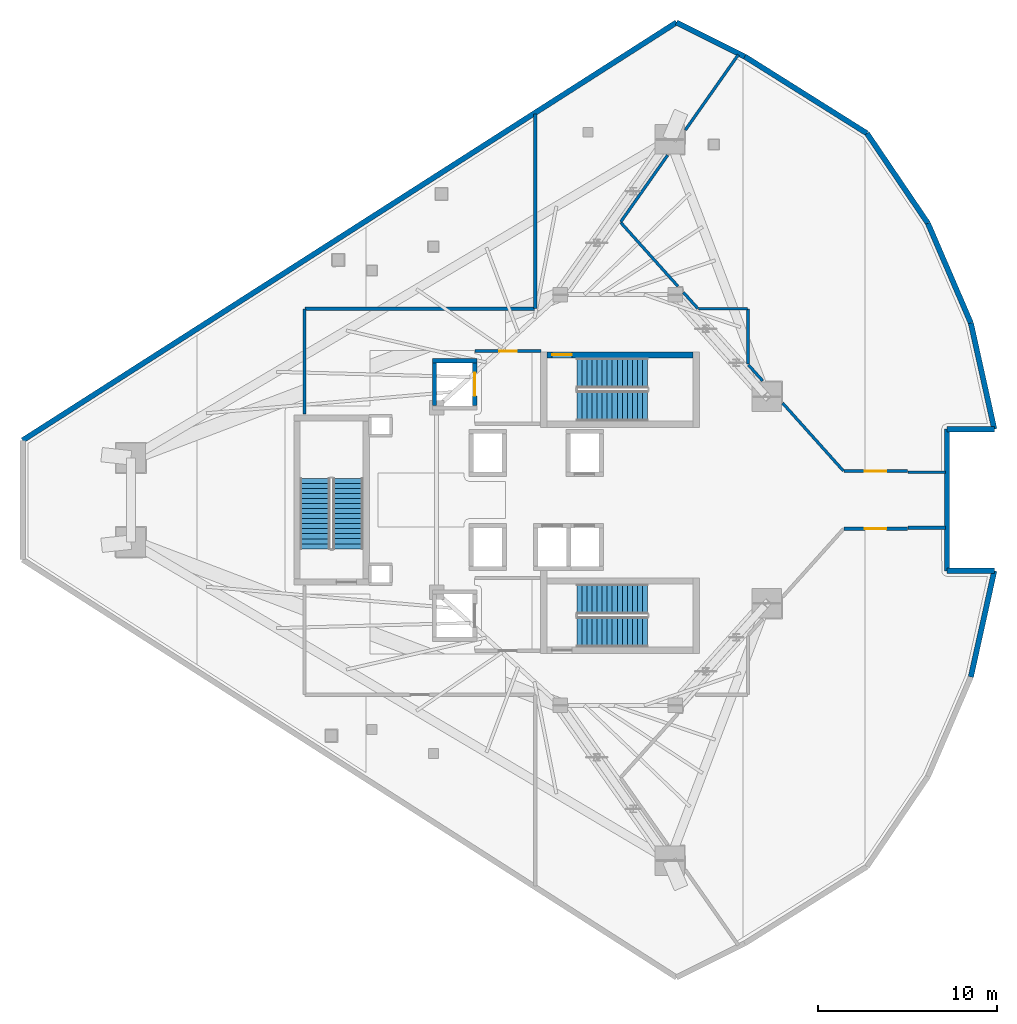
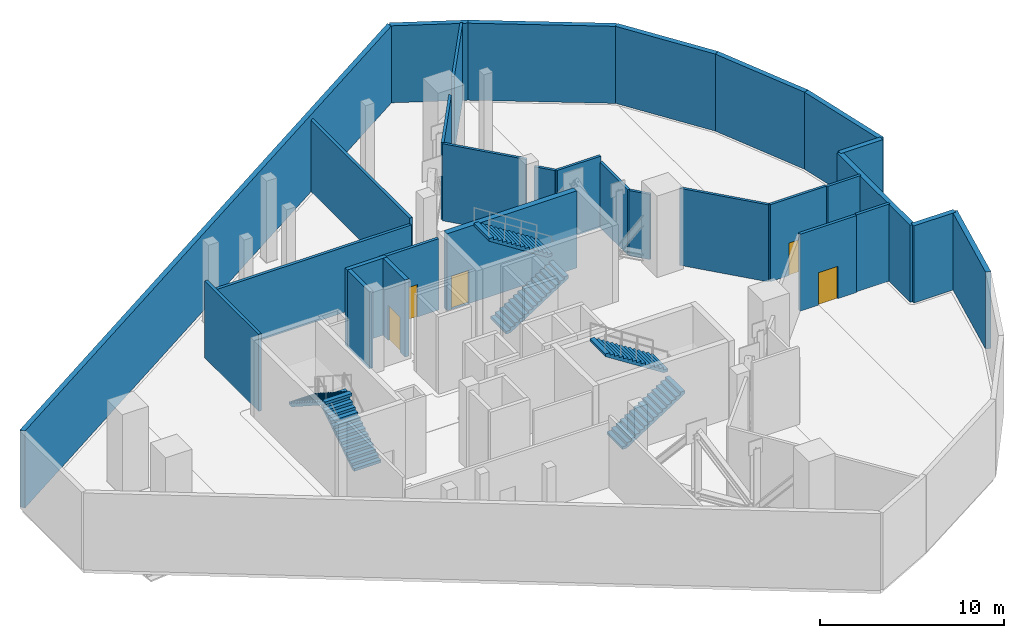
# One storey, part 4 of 9: 30 walls, 6 stair flights, 5 doors, 5 openings, 3 elements without a shape of their own.
"""IFC4 building model written with IfcOpenShell, lengths in metres."""

from ifc_helpers import new_model, si_unit, direction, frame, frame_2d, origin, place, context, subcontext, project, spatial, polyline, rectangle, outline, extrude, material, layer, layer_set, type_object, element, fill, aggregate, save


model = new_model("IFC4")

# Units and contexts
model_context = context("Model", 3, precision=1e-05, world=origin(), true_north=direction((0.0, 1.0)))
body_context = subcontext(model_context, "Body", "Model", "MODEL_VIEW")
ifc_project = project(units=[si_unit("LENGTHUNIT", "METRE"), si_unit("AREAUNIT", "SQUARE_METRE"), si_unit("VOLUMEUNIT", "CUBIC_METRE"), si_unit("PLANEANGLEUNIT", "RADIAN"), si_unit("MASSUNIT", "GRAM", prefix="KILO")], contexts=[model_context])

# Site, building, storey
site_placement = place(None, origin())
site = spatial("IfcSite", under=ifc_project, at=site_placement, CompositionType="ELEMENT")
building_placement = place(site_placement, origin())
building = spatial("IfcBuilding", under=site, at=building_placement, Name="Qorvath Tower", CompositionType="ELEMENT")
storey_placement = place(building_placement, frame((0.0, 0.0, 249.60009765625)))
storey = spatial("IfcBuildingStorey", under=building, at=storey_placement, Name="L58", CompositionType="ELEMENT", Elevation=249.60009765625)

# Wall, opening, door
ifc_material_1 = material(Name="Gypsum shaftliner on steel studs", Category="steel")
ifc_layer_1 = layer(ifc_material_1, 0.179931640625)
ifc_layer_set_1 = layer_set([ifc_layer_1], Name="FW-LOBBY")
wall_type_1 = type_object("IfcWallType", Name="FW-LOBBY", PredefinedType="PARTITIONING", material=ifc_layer_set_1)
wall_1_placement = place(storey_placement, frame((-24.68408203125, 8.300048828125, 0.0), z_axis=(0.0, 0.0, 1.0), x_axis=(-1.0, 0.0, 0.0)))
wall_1 = element("IfcWall", 1, at=wall_1_placement, inside=storey, type_object=wall_type_1, Name="Interior Partition IW-T1-L58-002", PredefinedType="PARTITIONING", context=body_context, shape_type="SweptSolid", body=[
    extrude(rectangle(XDim=3.6708984375, YDim=0.179931640625, at=frame_2d((1.83544921875, 0.0))), origin(), (0.0, 0.0, 1.0), 4.71875),
])
opening_1_placement = place(wall_1_placement, frame((1.33544921875, 0.0, 0.0)))
opening_1 = element("IfcOpeningElement", 2, at=opening_1_placement, cuts=wall_1, Name="Opening D-T1-L58-04", PredefinedType="OPENING", context=body_context, shape_type="SweptSolid", body=[
    extrude(rectangle(XDim=1.0, YDim=2.14990234375, at=frame_2d((0.5, 1.074951171875))), frame((0.0, 0.10009765625, 0.0), z_axis=(0.0, -1.0, 0.0), x_axis=(1.0, 0.0, 0.0)), (0.0, 0.0, 1.0), 0.199951171875),
])
ifc_material_2 = material(Name="Painted galvanised hollow metal", Category="steel")
door_type_1 = type_object("IfcDoorType", Name="FD-60", OperationType="NOTDEFINED", PredefinedType="DOOR", material=ifc_material_2)
door_1_placement = place(opening_1_placement, origin())
door_1 = element("IfcDoor", 3, at=door_1_placement, inside=storey, type_object=door_type_1, Name="Lobby Fire Service Elevator North Door D-T1-L58-04", OperationType="SINGLE_SWING_LEFT", OverallHeight=2.14990234375, OverallWidth=1.0, PredefinedType="DOOR", context=body_context, shape_type="SweptSolid", body=[
    extrude(rectangle(XDim=1.0, YDim=2.14990234375, at=frame_2d((0.5, 1.074951171875))), frame((0.0, 0.02490234375, 0.0), z_axis=(0.0, -1.0, 0.0), x_axis=(1.0, 0.0, 0.0)), (0.0, 0.0, 1.0), 0.050048828125),
])
fill(opening_1, door_1)

# Walls
wall_2_placement = place(storey_placement, frame((-37.85791015625, 4.783203125, 0.0), z_axis=(0.0, 0.0, 1.0), x_axis=(0.0, 1.0, 0.0)))
element("IfcWall", 4, at=wall_2_placement, inside=storey, type_object=wall_type_1, Name="Interior Partition IW-T1-L58-007", PredefinedType="PARTITIONING", context=body_context, shape_type="SweptSolid", body=[
    extrude(rectangle(XDim=5.849853515625, YDim=0.179931640625, at=frame_2d((2.9248046875, 0.0))), origin(), (0.0, 0.0, 1.0), 5.099853515625),
])
wall_3_placement = place(storey_placement, frame((-25.02490234375, 10.657958984375, 0.0), z_axis=(0.0, 0.0, 1.0), x_axis=(-1.0, 0.0, 0.0)))
element("IfcWall", 5, at=wall_3_placement, inside=storey, type_object=wall_type_1, Name="Interior Partition IW-T1-L58-008", PredefinedType="PARTITIONING", context=body_context, shape_type="SweptSolid", body=[
    extrude(rectangle(XDim=12.80810546875, YDim=0.179931640625, at=frame_2d((6.404052734375, 0.0))), origin(), (0.0, 0.0, 1.0), 4.31982421875),
])
wall_4_placement = place(storey_placement, frame((-25.0, 10.68310546875, 0.0), z_axis=(0.0, 0.0, 1.0), x_axis=(0.0, 1.0, 0.0)))
element("IfcWall", 6, at=wall_4_placement, inside=storey, type_object=wall_type_1, Name="Interior Partition IW-T1-L58-009", PredefinedType="PARTITIONING", context=body_context, shape_type="SweptSolid", body=[
    extrude(rectangle(XDim=10.825439453125, YDim=0.179931640625, at=frame_2d((5.41259765625, 0.0))), origin(), (0.0, 0.0, 1.0), 4.71875),
])
wall_5_placement = place(storey_placement, frame((-2.12841796875, -1.550048828125, 0.0), z_axis=(0.0, 0.0, 1.0), x_axis=(-1.0, 0.0, 0.0)))
element("IfcWall", 7, at=wall_5_placement, inside=storey, type_object=wall_type_1, Name="Interior Partition IW-T1-L58-021", PredefinedType="PARTITIONING", context=body_context, shape_type="SweptSolid", body=[
    extrude(rectangle(XDim=2.087158203125, YDim=0.179931640625, at=frame_2d((1.04345703125, 0.0))), origin(), (0.0, 0.0, 1.0), 5.099853515625),
])

# Wall, opening, door
wall_6_placement = place(storey_placement, frame((-4.265380859375, -1.60791015625, 0.0), z_axis=(0.0, 0.0, 1.0), x_axis=(-1.0, 0.0, 0.0)))
wall_6 = element("IfcWall", 8, at=wall_6_placement, inside=storey, type_object=wall_type_1, Name="Interior Partition IW-T1-L58-022", PredefinedType="PARTITIONING", context=body_context, shape_type="SweptSolid", body=[
    extrude(rectangle(XDim=3.521728515625, YDim=0.179931640625, at=frame_2d((1.7607421875, 0.0))), origin(), (0.0, 0.0, 1.0), 5.099853515625),
])
opening_2_placement = place(wall_6_placement, frame((1.160888671875, 0.0, 0.0)))
opening_2 = element("IfcOpeningElement", 9, at=opening_2_placement, cuts=wall_6, Name="Opening D-T1-L58-03", PredefinedType="OPENING", context=body_context, shape_type="SweptSolid", body=[
    extrude(rectangle(XDim=1.199951171875, YDim=2.14990234375, at=frame_2d((0.60009765625, 1.074951171875))), frame((0.0, 0.10009765625, 0.0), z_axis=(0.0, -1.0, 0.0), x_axis=(1.0, 0.0, 0.0)), (0.0, 0.0, 1.0), 0.199951171875),
])
ifc_material_3 = material(Name="Painted galvanised hollow metal", Category="steel")
door_type_2 = type_object("IfcDoorType", Name="FD-60W", OperationType="NOTDEFINED", PredefinedType="DOOR", material=ifc_material_3)
door_2_placement = place(opening_2_placement, origin())
door_2 = element("IfcDoor", 10, at=door_2_placement, inside=storey, type_object=door_type_2, Name="Plant Electrical Switchgear Room L58 Door D-T1-L58-03", OperationType="SINGLE_SWING_RIGHT", OverallHeight=2.14990234375, OverallWidth=1.199951171875, PredefinedType="DOOR", context=body_context, shape_type="SweptSolid", body=[
    extrude(rectangle(XDim=1.199951171875, YDim=2.14990234375, at=frame_2d((0.60009765625, 1.074951171875))), frame((0.0, 0.02490234375, 0.0), z_axis=(0.0, -1.0, 0.0), x_axis=(1.0, 0.0, 0.0)), (0.0, 0.0, 1.0), 0.050048828125),
])
fill(opening_2, door_2)

# Walls
ifc_material_4 = material(Name="Double acoustic gypsum board on steel studs", Category="steel")
ifc_layer_2 = layer(ifc_material_4, 0.159912109375)
ifc_layer_set_2 = layer_set([ifc_layer_2], Name="IW-ACOUSTIC-160")
wall_type_2 = type_object("IfcWallType", Name="IW-ACOUSTIC-160", PredefinedType="PARTITIONING", material=ifc_layer_set_2)
wall_7_placement = place(storey_placement, frame((-13.688232421875, 24.81298828125, 0.0), z_axis=(0.0, 0.0, 1.0), x_axis=(-0.575273883825, -0.817960853946, 0.0)))
element("IfcWall", 11, at=wall_7_placement, inside=storey, type_object=wall_type_2, Name="Interior Partition IW-T1-L58-011", PredefinedType="PARTITIONING", context=body_context, shape_type="SweptSolid", body=[
    extrude(rectangle(XDim=5.12451171875, YDim=0.159912109375, at=frame_2d((2.562255859375, 0.0))), origin(), (0.0, 0.0, 1.0), 5.099853515625),
])
wall_8_placement = place(storey_placement, frame((-17.624755859375, 19.216064453125, 0.0), z_axis=(0.0, 0.0, 1.0), x_axis=(-0.575301570857, -0.817941380888, 0.0)))
element("IfcWall", 12, at=wall_8_placement, inside=storey, type_object=wall_type_2, Name="Interior Partition IW-T1-L58-012", PredefinedType="PARTITIONING", context=body_context, shape_type="SweptSolid", body=[
    extrude(rectangle(XDim=4.539794921875, YDim=0.159912109375, at=frame_2d((2.27001953125, 0.0))), origin(), (0.0, 0.0, 1.0), 5.099853515625),
])
wall_9_placement = place(storey_placement, frame((-20.234375, 15.463623046875, 0.0), z_axis=(0.0, 0.0, 1.0), x_axis=(0.667525464627, -0.744586968778, 0.0)))
element("IfcWall", 13, at=wall_9_placement, inside=storey, type_object=wall_type_2, Name="Interior Partition IW-T1-L58-013", PredefinedType="PARTITIONING", context=body_context, shape_type="SweptSolid", body=[
    extrude(rectangle(XDim=4.7744140625, YDim=0.159912109375, at=frame_2d((2.38720703125, 0.0))), origin(), (0.0, 0.0, 1.0), 5.099853515625),
])
wall_10_placement = place(storey_placement, frame((-16.743408203125, 11.56982421875, 0.0), z_axis=(0.0, 0.0, 1.0), x_axis=(0.667603360357, -0.744517127567, 0.0)))
element("IfcWall", 14, at=wall_10_placement, inside=storey, type_object=wall_type_2, Name="Interior Partition IW-T1-L58-014", PredefinedType="PARTITIONING", context=body_context, shape_type="SweptSolid", body=[
    extrude(rectangle(XDim=1.199951171875, YDim=0.159912109375, at=frame_2d((0.60009765625, 0.0))), origin(), (0.0, 0.0, 1.0), 4.71875),
])
wall_11_placement = place(storey_placement, frame((-15.90087890625, 10.657958984375, 0.0), z_axis=(0.0, 0.0, 1.0), x_axis=(1.0, 0.0, 0.0)))
element("IfcWall", 15, at=wall_11_placement, inside=storey, type_object=wall_type_2, Name="Interior Partition IW-T1-L58-015", PredefinedType="PARTITIONING", context=body_context, shape_type="SweptSolid", body=[
    extrude(rectangle(XDim=2.73388671875, YDim=0.159912109375, at=frame_2d((1.366943359375, 0.0))), origin(), (0.0, 0.0, 1.0), 4.71875),
])
wall_12_placement = place(storey_placement, frame((-13.14208984375, 10.633056640625, 0.0), z_axis=(0.0, 0.0, 1.0), x_axis=(0.0, -1.0, 0.0)))
element("IfcWall", 16, at=wall_12_placement, inside=storey, type_object=wall_type_2, Name="Interior Partition IW-T1-L58-016", PredefinedType="PARTITIONING", context=body_context, shape_type="SweptSolid", body=[
    extrude(rectangle(XDim=3.05517578125, YDim=0.159912109375, at=frame_2d((1.527587890625, 0.0))), origin(), (0.0, 0.0, 1.0), 4.31982421875),
])
wall_13_placement = place(storey_placement, frame((-13.12548828125, 7.534423828125, 0.0), z_axis=(0.0, 0.0, 1.0), x_axis=(0.667580043135, -0.744538035299, 0.0)))
element("IfcWall", 17, at=wall_13_placement, inside=storey, type_object=wall_type_2, Name="Interior Partition IW-T1-L58-017", PredefinedType="PARTITIONING", context=body_context, shape_type="SweptSolid", body=[
    extrude(rectangle(XDim=1.19921875, YDim=0.159912109375, at=frame_2d((0.599609375, 0.0))), origin(), (0.0, 0.0, 1.0), 4.31982421875),
])
wall_14_placement = place(storey_placement, frame((-11.215087890625, 5.403564453125, 0.0), z_axis=(0.0, 0.0, 1.0), x_axis=(0.667556975808, -0.744558717664, 0.0)))
element("IfcWall", 18, at=wall_14_placement, inside=storey, type_object=wall_type_2, Name="Interior Partition IW-T1-L58-018", PredefinedType="PARTITIONING", context=body_context, shape_type="SweptSolid", body=[
    extrude(rectangle(XDim=5.072998046875, YDim=0.159912109375, at=frame_2d((2.53662109375, 0.0))), origin(), (0.0, 0.0, 1.0), 5.099853515625),
])

# Wall, opening, door
wall_15_placement = place(storey_placement, frame((-7.787109375, 1.60791015625, 0.0), z_axis=(0.0, 0.0, 1.0), x_axis=(1.0, 0.0, 0.0)))
wall_15 = element("IfcWall", 19, at=wall_15_placement, inside=storey, type_object=wall_type_2, Name="Interior Partition IW-T1-L58-019", PredefinedType="PARTITIONING", context=body_context, shape_type="SweptSolid", body=[
    extrude(rectangle(XDim=3.521728515625, YDim=0.159912109375, at=frame_2d((1.7607421875, 0.0))), origin(), (0.0, 0.0, 1.0), 5.099853515625),
])
opening_3_placement = place(wall_15_placement, frame((1.160888671875, 0.0, 0.0)))
opening_3 = element("IfcOpeningElement", 20, at=opening_3_placement, cuts=wall_15, Name="Opening D-T1-L58-02", PredefinedType="OPENING", context=body_context, shape_type="SweptSolid", body=[
    extrude(rectangle(XDim=1.199951171875, YDim=2.14990234375, at=frame_2d((0.60009765625, 1.074951171875))), frame((0.0, 0.08984375, 0.0), z_axis=(0.0, -1.0, 0.0), x_axis=(1.0, 0.0, 0.0)), (0.0, 0.0, 1.0), 0.179931640625),
])
ifc_material_5 = material(Name="Painted hollow steel utility leaf", Category="steel")
door_type_3 = type_object("IfcDoorType", Name="D-05", OperationType="NOTDEFINED", PredefinedType="DOOR", material=ifc_material_5)
door_3_placement = place(opening_3_placement, origin())
door_3 = element("IfcDoor", 21, at=door_3_placement, inside=storey, type_object=door_type_3, Name="Plant Air-Handling Room L58 Door D-T1-L58-02", OperationType="SINGLE_SWING_LEFT", OverallHeight=2.14990234375, OverallWidth=1.199951171875, PredefinedType="DOOR", context=body_context, shape_type="SweptSolid", body=[
    extrude(rectangle(XDim=1.199951171875, YDim=2.14990234375, at=frame_2d((0.60009765625, 1.074951171875))), frame((0.0, 0.02490234375, 0.0), z_axis=(0.0, -1.0, 0.0), x_axis=(1.0, 0.0, 0.0)), (0.0, 0.0, 1.0), 0.050048828125),
])
fill(opening_3, door_3)

# Walls
wall_16_placement = place(storey_placement, frame((-4.215576171875, 1.550048828125, 0.0), z_axis=(0.0, 0.0, 1.0), x_axis=(1.0, 0.0, 0.0)))
element("IfcWall", 22, at=wall_16_placement, inside=storey, type_object=wall_type_2, Name="Interior Partition IW-T1-L58-020", PredefinedType="PARTITIONING", context=body_context, shape_type="SweptSolid", body=[
    extrude(rectangle(XDim=2.087158203125, YDim=0.159912109375, at=frame_2d((1.04345703125, 0.0))), origin(), (0.0, 0.0, 1.0), 5.099853515625),
])
ifc_material_6 = material(Name="Concrete C60/75", Category="concrete")
ifc_layer_3 = layer(ifc_material_6, 0.260009765625)
ifc_layer_set_3 = layer_set([ifc_layer_3], Name="SW-SHAFT")
wall_type_3 = type_object("IfcWallType", Name="SW-SHAFT", PredefinedType="SHEAR", material=ifc_layer_set_3)
wall_17_placement = place(storey_placement, frame((-30.739990234375, 7.77001953125, 0.0), z_axis=(0.0, 0.0, 1.0), x_axis=(1.0, 0.0, 0.0)))
element("IfcWall", 23, at=wall_17_placement, inside=storey, type_object=wall_type_3, Name="Hoistway Wall FSAE-1 L58 N", PredefinedType="SHEAR", context=body_context, shape_type="SweptSolid", body=[
    extrude(rectangle(XDim=2.47998046875, YDim=0.239990234375, at=frame_2d((1.239990234375, 0.0))), origin(), (0.0, 0.0, 1.0), 5.099853515625),
])
wall_18_placement = place(storey_placement, frame((-30.6201171875, 5.261962890625, 0.0), z_axis=(0.0, 0.0, 1.0), x_axis=(0.0, 1.0, 0.0)))
element("IfcWall", 24, at=wall_18_placement, inside=storey, type_object=wall_type_3, Name="Hoistway Wall FSAE-1 L58 W", PredefinedType="SHEAR", context=body_context, shape_type="SweptSolid", body=[
    extrude(rectangle(XDim=2.3759765625, YDim=0.239990234375, at=frame_2d((1.18798828125, 0.0))), origin(), (0.0, 0.0, 1.0), 5.099853515625),
])

# Wall, opening, door
wall_19_placement = place(storey_placement, frame((-28.3798828125, 7.637939453125, 0.0), z_axis=(0.0, 0.0, 1.0), x_axis=(0.0, -1.0, 0.0)))
wall_19 = element("IfcWall", 25, at=wall_19_placement, inside=storey, type_object=wall_type_3, Name="Hoistway Wall FSAE-1 L58 E", PredefinedType="SHEAR", context=body_context, shape_type="SweptSolid", body=[
    extrude(rectangle(XDim=2.3759765625, YDim=0.239990234375, at=frame_2d((1.18798828125, 0.0))), origin(), (0.0, 0.0, 1.0), 5.099853515625),
])
opening_4_placement = place(wall_19_placement, frame((0.537841796875, 0.0, 0.0)))
opening_4 = element("IfcOpeningElement", 26, at=opening_4_placement, cuts=wall_19, Name="Opening LD-FSAE-1-L58", PredefinedType="OPENING", context=body_context, shape_type="SweptSolid", body=[
    extrude(rectangle(XDim=1.300048828125, YDim=2.300048828125, at=frame_2d((0.64990234375, 1.14990234375))), frame((0.0, 0.1298828125, 0.0), z_axis=(0.0, -1.0, 0.0), x_axis=(1.0, 0.0, 0.0)), (0.0, 0.0, 1.0), 0.260009765625),
])
ifc_material_7 = material(Name="Brushed stainless steel AISI 316", Category="steel")
door_type_4 = type_object("IfcDoorType", Name="LD-02", OperationType="NOTDEFINED", PredefinedType="DOOR", material=ifc_material_7)
door_4_placement = place(opening_4_placement, origin())
door_4 = element("IfcDoor", 27, at=door_4_placement, inside=storey, type_object=door_type_4, Name="Elevator Landing Sliding Door LD-FSAE-1-L58", OperationType="DOUBLE_DOOR_SLIDING", OverallHeight=2.300048828125, OverallWidth=1.300048828125, PredefinedType="DOOR", context=body_context, shape_type="SweptSolid", body=[
    extrude(rectangle(XDim=1.300048828125, YDim=2.300048828125, at=frame_2d((0.64990234375, 1.14990234375))), frame((0.0, 0.02490234375, 0.0), z_axis=(0.0, -1.0, 0.0), x_axis=(1.0, 0.0, 0.0)), (0.0, 0.0, 1.0), 0.050048828125),
])
fill(opening_4, door_4)

ifc_material_8 = material(Name="Concrete C60/75", Category="concrete")
ifc_layer_4 = layer(ifc_material_8, 0.35009765625)
ifc_layer_set_4 = layer_set([ifc_layer_4], Name="SW-STAIR")
wall_type_4 = type_object("IfcWallType", Name="SW-STAIR", PredefinedType="SHEAR", material=ifc_layer_set_4)
wall_20_placement = place(storey_placement, frame((-16.215087890625, 8.0849609375, 0.0), z_axis=(0.0, 0.0, 1.0), x_axis=(-1.0, 0.0, 0.0)))
wall_20 = element("IfcWall", 28, at=wall_20_placement, inside=storey, type_object=wall_type_4, Name="Stair TS1 Shear Wall L58 RIGHT", PredefinedType="SHEAR", context=body_context, shape_type="SweptSolid", body=[
    extrude(rectangle(XDim=8.119873046875, YDim=0.35009765625, at=frame_2d((4.06005859375, 0.0))), origin(), (0.0, 0.0, 1.0), 5.099853515625),
])
opening_5_placement = place(wall_20_placement, frame((6.739990234375, 0.0, 0.0)))
opening_5 = element("IfcOpeningElement", 29, at=opening_5_placement, cuts=wall_20, Name="Opening D-TS1-L58", PredefinedType="OPENING", context=body_context, shape_type="SweptSolid", body=[
    extrude(rectangle(XDim=1.10009765625, YDim=2.199951171875, at=frame_2d((0.550048828125, 1.10009765625))), frame((0.0, 0.18505859375, 0.0), z_axis=(0.0, -1.0, 0.0), x_axis=(1.0, 0.0, 0.0)), (0.0, 0.0, 1.0), 0.3701171875),
])
ifc_material_9 = material(Name="Painted galvanised hollow metal", Category="steel")
door_type_5 = type_object("IfcDoorType", Name="FD-90", OperationType="NOTDEFINED", PredefinedType="DOOR", material=ifc_material_9)
door_5_placement = place(opening_5_placement, origin())
door_5 = element("IfcDoor", 30, at=door_5_placement, inside=storey, type_object=door_type_5, Name="Stair TS1 Fire Door L58", OperationType="SINGLE_SWING_LEFT", OverallHeight=2.199951171875, OverallWidth=1.10009765625, PredefinedType="DOOR", context=body_context, shape_type="SweptSolid", body=[
    extrude(rectangle(XDim=1.10009765625, YDim=2.199951171875, at=frame_2d((0.550048828125, 1.10009765625))), frame((0.0, 0.02490234375, 0.0), z_axis=(0.0, -1.0, 0.0), x_axis=(1.0, 0.0, 0.0)), (0.0, 0.0, 1.0), 0.050048828125),
])
fill(opening_5, door_5)

# Walls
ifc_material_10 = material(Name="Precast concrete C45/55", Category="concrete")
ifc_layer_5 = layer(ifc_material_10, 0.300048828125)
ifc_layer_set_5 = layer_set([ifc_layer_5], Name="WL-EW-LOG-300")
wall_type_5 = type_object("IfcWallType", Name="WL-EW-LOG-300", PredefinedType="SOLIDWALL", material=ifc_layer_set_5)
wall_21_placement = place(storey_placement, frame((0.5869140625, -3.952880859375, 0.0), z_axis=(0.0, 0.0, 1.0), x_axis=(-0.216110411611, -0.976368931293, 0.0)))
element("IfcWall", 31, at=wall_21_placement, inside=storey, type_object=wall_type_5, Name="Tower Precast Loggia Wall L58-7.1", PredefinedType="SOLIDWALL", context=body_context, shape_type="SweptSolid", body=[
    extrude(rectangle(XDim=6.052978515625, YDim=0.300048828125, at=frame_2d((3.0263671875, 0.0))), origin(), (0.0, 0.0, 1.0), 5.099853515625),
])
wall_22_placement = place(storey_placement, frame((0.5869140625, -3.952880859375, 0.0), z_axis=(0.0, 0.0, 1.0), x_axis=(-1.0, 0.0, 0.0)))
element("IfcWall", 32, at=wall_22_placement, inside=storey, type_object=wall_type_5, Name="Tower Precast Loggia Wall L58-8.1", PredefinedType="SOLIDWALL", context=body_context, shape_type="SweptSolid", body=[
    extrude(rectangle(XDim=2.63525390625, YDim=0.300048828125, at=frame_2d((1.317626953125, 0.0))), origin(), (0.0, 0.0, 1.0), 5.099853515625),
])
wall_23_placement = place(storey_placement, frame((-2.04833984375, 3.952880859375, 0.0), z_axis=(0.0, 0.0, 1.0), x_axis=(0.0, -1.0, 0.0)))
element("IfcWall", 33, at=wall_23_placement, inside=storey, type_object=wall_type_5, Name="Tower Precast Loggia Wall L58-9.1", PredefinedType="SOLIDWALL", context=body_context, shape_type="SweptSolid", body=[
    extrude(rectangle(XDim=7.90576171875, YDim=0.300048828125, at=frame_2d((3.952880859375, 0.0))), origin(), (0.0, 0.0, 1.0), 5.099853515625),
])
wall_24_placement = place(storey_placement, frame((-2.04833984375, 3.952880859375, 0.0), z_axis=(0.0, 0.0, 1.0), x_axis=(1.0, 0.0, 0.0)))
element("IfcWall", 34, at=wall_24_placement, inside=storey, type_object=wall_type_5, Name="Tower Precast Loggia Wall L58-10.1", PredefinedType="SOLIDWALL", context=body_context, shape_type="SweptSolid", body=[
    extrude(rectangle(XDim=2.63525390625, YDim=0.300048828125, at=frame_2d((1.317626953125, 0.0))), origin(), (0.0, 0.0, 1.0), 5.099853515625),
])
for number, where, z_axis, x_axis, name in (
    (35, (-0.72119140625, 9.86279296875, 0.0), (0.0, 0.0, 1.0), (0.216110411611, -0.976368931293, 0.0), "Tower Precast Loggia Wall L58-11.1"),
    (36, (-3.114990234375, 15.42236328125, 0.0), (0.0, 0.0, 1.0), (0.395471582502, -0.918478212824, 0.0), "Tower Precast Loggia Wall L58-12.1"),
    (37, (-6.509765625, 20.433837890625, 0.0), (0.0, 0.0, 1.0), (0.560837443222, -0.827925940094, 0.0), "Tower Precast Loggia Wall L58-13.1"),
):
    element("IfcWall", number, at=place(storey_placement, frame(where, z_axis=z_axis, x_axis=x_axis)), inside=storey, type_object=wall_type_5, Name=name, PredefinedType="SOLIDWALL", context=body_context, shape_type="SweptSolid", body=[
        extrude(rectangle(XDim=6.052978515625, YDim=0.300048828125, at=frame_2d((3.0263671875, 0.0))), origin(), (0.0, 0.0, 1.0), 5.099853515625),
    ])
wall_25_placement = place(storey_placement, frame((-13.323486328125, 24.71923828125, 0.0), z_axis=(0.0, 0.0, 1.0), x_axis=(0.846497130673, -0.53239328298, 0.0)))
element("IfcWall", 38, at=wall_25_placement, inside=storey, type_object=wall_type_5, Name="Tower Precast Loggia Wall L58-14.1", PredefinedType="SOLIDWALL", context=body_context, shape_type="SweptSolid", body=[
    extrude(rectangle(XDim=8.04931640625, YDim=0.300048828125, at=frame_2d((4.024658203125, 0.0))), origin(), (0.0, 0.0, 1.0), 5.099853515625),
])
wall_26_placement = place(storey_placement, frame((-17.12646484375, 26.62060546875, 0.0), z_axis=(0.0, 0.0, 1.0), x_axis=(0.894438674799, -0.447190627164, 0.0)))
element("IfcWall", 39, at=wall_26_placement, inside=storey, type_object=wall_type_5, Name="Tower Precast Loggia Wall L58-15.1", PredefinedType="SOLIDWALL", context=body_context, shape_type="SweptSolid", body=[
    extrude(rectangle(XDim=4.251708984375, YDim=0.300048828125, at=frame_2d((2.1259765625, 0.0))), origin(), (0.0, 0.0, 1.0), 5.099853515625),
])
wall_27_placement = place(storey_placement, frame((-53.5712890625, 3.32763671875, 0.0), z_axis=(0.0, 0.0, 1.0), x_axis=(0.842604196804, 0.538533348576, 0.0)))
element("IfcWall", 40, at=wall_27_placement, inside=storey, type_object=wall_type_5, Name="Tower Precast Loggia Wall L58-16.1", PredefinedType="SOLIDWALL", context=body_context, shape_type="SweptSolid", body=[
    extrude(rectangle(XDim=43.252685546875, YDim=0.300048828125, at=frame_2d((21.62646484375, 0.0))), origin(), (0.0, 0.0, 1.0), 5.099853515625),
])

# Stair, stair flights
ifc_material_11 = material(Name="Concrete C50/60", Category="concrete")
stair_type = type_object("IfcStairType", Name="ST-H540", PredefinedType="HALF_TURN_STAIR", material=ifc_material_11)
stair_1_placement = place(storey_placement, origin())
stair_1 = element("IfcStair", 41, at=stair_1_placement, inside=storey, type_object=stair_type, Name="L58 Tower Exit Stair 1", PredefinedType="HALF_TURN_STAIR")
ifc_material_12 = material(Name="Concrete C50/60", Category="concrete")
ifc_layer_6 = layer(ifc_material_12, 0.14990234375)
ifc_layer_set_6 = layer_set([ifc_layer_6], Name="SF-H540")
stair_flight_type = type_object("IfcStairFlightType", Name="SF-H540", PredefinedType="STRAIGHT", material=ifc_layer_set_6)
stair_flight_1_placement = place(storey_placement, frame((-22.669921875, 5.239990234375, 0.0), z_axis=(0.0, 0.0, 1.0), x_axis=(1.0, 0.0, 0.0)))
stair_flight_1 = element("IfcStairFlight", 42, at=stair_flight_1_placement, type_object=stair_flight_type, Name="TS1 flight 1", NumberOfRisers=15, NumberOfTreads=14, PredefinedType="STRAIGHT", RiserHeight=0.18, TreadLength=0.28, context=body_context, shape_type="SweptSolid", body=[
    extrude(outline(polyline([(0.0, 0.0), (0.0, 0.179931640625), (0.280029296875, 0.179931640625), (0.280029296875, 0.360107421875), (0.56005859375, 0.360107421875), (0.56005859375, 0.5400390625), (0.840087890625, 0.5400390625), (0.840087890625, 0.719970703125), (1.1201171875, 0.719970703125), (1.1201171875, 0.89990234375), (1.39990234375, 0.89990234375), (1.39990234375, 1.080078125), (1.679931640625, 1.080078125), (1.679931640625, 1.260009765625), (1.9599609375, 1.260009765625), (1.9599609375, 1.43994140625), (2.239990234375, 1.43994140625), (2.239990234375, 1.6201171875), (2.52001953125, 1.6201171875), (2.52001953125, 1.800048828125), (2.800048828125, 1.800048828125), (2.800048828125, 1.97998046875), (3.080078125, 1.97998046875), (3.080078125, 2.159912109375), (3.360107421875, 2.159912109375), (3.360107421875, 2.340087890625), (3.639892578125, 2.340087890625), (3.639892578125, 2.52001953125), (3.919921875, 2.52001953125), (3.919921875, 2.699951171875), (3.919921875, 2.341796875), (0.277099609375, 0.0), (0.0, 0.0)])), frame((0.0, 0.83984375, 0.0), z_axis=(0.0, -1.0, 0.0), x_axis=(1.0, 0.0, 0.0)), (0.0, 0.0, 1.0), 1.679931640625),
])
stair_flight_2_placement = place(storey_placement, frame((-18.75, 7.070068359375, 2.699951171875), z_axis=(0.0, 0.0, 1.0), x_axis=(-1.0, 0.0, 0.0)))
stair_flight_2 = element("IfcStairFlight", 43, at=stair_flight_2_placement, type_object=stair_flight_type, Name="TS1 flight 2", NumberOfRisers=15, NumberOfTreads=14, PredefinedType="STRAIGHT", RiserHeight=0.18, TreadLength=0.28, context=body_context, shape_type="SweptSolid", body=[
    extrude(outline(polyline([(0.0, 0.0), (0.0, 0.179931640625), (0.280029296875, 0.179931640625), (0.280029296875, 0.360107421875), (0.56005859375, 0.360107421875), (0.56005859375, 0.5400390625), (0.840087890625, 0.5400390625), (0.840087890625, 0.719970703125), (1.1201171875, 0.719970703125), (1.1201171875, 0.89990234375), (1.39990234375, 0.89990234375), (1.39990234375, 1.080078125), (1.679931640625, 1.080078125), (1.679931640625, 1.260009765625), (1.9599609375, 1.260009765625), (1.9599609375, 1.43994140625), (2.239990234375, 1.43994140625), (2.239990234375, 1.6201171875), (2.52001953125, 1.6201171875), (2.52001953125, 1.800048828125), (2.800048828125, 1.800048828125), (2.800048828125, 1.97998046875), (3.080078125, 1.97998046875), (3.080078125, 2.159912109375), (3.360107421875, 2.159912109375), (3.360107421875, 2.340087890625), (3.639892578125, 2.340087890625), (3.639892578125, 2.52001953125), (3.919921875, 2.52001953125), (3.919921875, 2.699951171875), (3.919921875, 2.341796875), (0.277099609375, 0.0), (0.0, 0.0)])), frame((0.0, 0.83984375, 0.0), z_axis=(0.0, -1.0, 0.0), x_axis=(1.0, 0.0, 0.0)), (0.0, 0.0, 1.0), 1.679931640625),
])
aggregate(stair_1, [stair_flight_1, stair_flight_2])

stair_2_placement = place(storey_placement, origin())
stair_2 = element("IfcStair", 44, at=stair_2_placement, inside=storey, type_object=stair_type, Name="L58 Tower Exit Stair 2", PredefinedType="HALF_TURN_STAIR")
stair_flight_3_placement = place(storey_placement, frame((-22.669921875, -7.360107421875, 0.0), z_axis=(0.0, 0.0, 1.0), x_axis=(1.0, 0.0, 0.0)))
stair_flight_3 = element("IfcStairFlight", 45, at=stair_flight_3_placement, type_object=stair_flight_type, Name="TS2 flight 1", NumberOfRisers=15, NumberOfTreads=14, PredefinedType="STRAIGHT", RiserHeight=0.18, TreadLength=0.28, context=body_context, shape_type="SweptSolid", body=[
    extrude(outline(polyline([(0.0, 0.0), (0.0, 0.179931640625), (0.280029296875, 0.179931640625), (0.280029296875, 0.360107421875), (0.56005859375, 0.360107421875), (0.56005859375, 0.5400390625), (0.840087890625, 0.5400390625), (0.840087890625, 0.719970703125), (1.1201171875, 0.719970703125), (1.1201171875, 0.89990234375), (1.39990234375, 0.89990234375), (1.39990234375, 1.080078125), (1.679931640625, 1.080078125), (1.679931640625, 1.260009765625), (1.9599609375, 1.260009765625), (1.9599609375, 1.43994140625), (2.239990234375, 1.43994140625), (2.239990234375, 1.6201171875), (2.52001953125, 1.6201171875), (2.52001953125, 1.800048828125), (2.800048828125, 1.800048828125), (2.800048828125, 1.97998046875), (3.080078125, 1.97998046875), (3.080078125, 2.159912109375), (3.360107421875, 2.159912109375), (3.360107421875, 2.340087890625), (3.639892578125, 2.340087890625), (3.639892578125, 2.52001953125), (3.919921875, 2.52001953125), (3.919921875, 2.699951171875), (3.919921875, 2.341796875), (0.277099609375, 0.0), (0.0, 0.0)])), frame((0.0, 0.83984375, 0.0), z_axis=(0.0, -1.0, 0.0), x_axis=(1.0, 0.0, 0.0)), (0.0, 0.0, 1.0), 1.679931640625),
])
stair_flight_4_placement = place(storey_placement, frame((-18.75, -5.530029296875, 2.699951171875), z_axis=(0.0, 0.0, 1.0), x_axis=(-1.0, 0.0, 0.0)))
stair_flight_4 = element("IfcStairFlight", 46, at=stair_flight_4_placement, type_object=stair_flight_type, Name="TS2 flight 2", NumberOfRisers=15, NumberOfTreads=14, PredefinedType="STRAIGHT", RiserHeight=0.18, TreadLength=0.28, context=body_context, shape_type="SweptSolid", body=[
    extrude(outline(polyline([(0.0, 0.0), (0.0, 0.179931640625), (0.280029296875, 0.179931640625), (0.280029296875, 0.360107421875), (0.56005859375, 0.360107421875), (0.56005859375, 0.5400390625), (0.840087890625, 0.5400390625), (0.840087890625, 0.719970703125), (1.1201171875, 0.719970703125), (1.1201171875, 0.89990234375), (1.39990234375, 0.89990234375), (1.39990234375, 1.080078125), (1.679931640625, 1.080078125), (1.679931640625, 1.260009765625), (1.9599609375, 1.260009765625), (1.9599609375, 1.43994140625), (2.239990234375, 1.43994140625), (2.239990234375, 1.6201171875), (2.52001953125, 1.6201171875), (2.52001953125, 1.800048828125), (2.800048828125, 1.800048828125), (2.800048828125, 1.97998046875), (3.080078125, 1.97998046875), (3.080078125, 2.159912109375), (3.360107421875, 2.159912109375), (3.360107421875, 2.340087890625), (3.639892578125, 2.340087890625), (3.639892578125, 2.52001953125), (3.919921875, 2.52001953125), (3.919921875, 2.699951171875), (3.919921875, 2.341796875), (0.277099609375, 0.0), (0.0, 0.0)])), frame((0.0, 0.83984375, 0.0), z_axis=(0.0, -1.0, 0.0), x_axis=(1.0, 0.0, 0.0)), (0.0, 0.0, 1.0), 1.679931640625),
])
aggregate(stair_2, [stair_flight_3, stair_flight_4])

stair_3_placement = place(storey_placement, origin())
stair_3 = element("IfcStair", 47, at=stair_3_placement, inside=storey, type_object=stair_type, Name="L58 Tower Exit Stair 3", PredefinedType="HALF_TURN_STAIR")
stair_flight_5_placement = place(storey_placement, frame((-35.43994140625, -2.719970703125, 0.0), z_axis=(0.0, 0.0, 1.0), x_axis=(0.0, 1.0, 0.0)))
stair_flight_5 = element("IfcStairFlight", 48, at=stair_flight_5_placement, type_object=stair_flight_type, Name="TS3 flight 1", NumberOfRisers=15, NumberOfTreads=14, PredefinedType="STRAIGHT", RiserHeight=0.18, TreadLength=0.28, context=body_context, shape_type="SweptSolid", body=[
    extrude(outline(polyline([(0.0, 0.0), (0.0, 0.179931640625), (0.280029296875, 0.179931640625), (0.280029296875, 0.360107421875), (0.56005859375, 0.360107421875), (0.56005859375, 0.5400390625), (0.840087890625, 0.5400390625), (0.840087890625, 0.719970703125), (1.1201171875, 0.719970703125), (1.1201171875, 0.89990234375), (1.39990234375, 0.89990234375), (1.39990234375, 1.080078125), (1.679931640625, 1.080078125), (1.679931640625, 1.260009765625), (1.9599609375, 1.260009765625), (1.9599609375, 1.43994140625), (2.239990234375, 1.43994140625), (2.239990234375, 1.6201171875), (2.52001953125, 1.6201171875), (2.52001953125, 1.800048828125), (2.800048828125, 1.800048828125), (2.800048828125, 1.97998046875), (3.080078125, 1.97998046875), (3.080078125, 2.159912109375), (3.360107421875, 2.159912109375), (3.360107421875, 2.340087890625), (3.639892578125, 2.340087890625), (3.639892578125, 2.52001953125), (3.919921875, 2.52001953125), (3.919921875, 2.699951171875), (3.919921875, 2.341796875), (0.277099609375, 0.0), (0.0, 0.0)])), frame((0.0, 0.83984375, 0.0), z_axis=(0.0, -1.0, 0.0), x_axis=(1.0, 0.0, 0.0)), (0.0, 0.0, 1.0), 1.679931640625),
])
stair_flight_6_placement = place(storey_placement, frame((-37.27001953125, 1.199951171875, 2.699951171875), z_axis=(0.0, 0.0, 1.0), x_axis=(0.0, -1.0, 0.0)))
stair_flight_6 = element("IfcStairFlight", 49, at=stair_flight_6_placement, type_object=stair_flight_type, Name="TS3 flight 2", NumberOfRisers=15, NumberOfTreads=14, PredefinedType="STRAIGHT", RiserHeight=0.18, TreadLength=0.28, context=body_context, shape_type="SweptSolid", body=[
    extrude(outline(polyline([(0.0, 0.0), (0.0, 0.179931640625), (0.280029296875, 0.179931640625), (0.280029296875, 0.360107421875), (0.56005859375, 0.360107421875), (0.56005859375, 0.5400390625), (0.840087890625, 0.5400390625), (0.840087890625, 0.719970703125), (1.1201171875, 0.719970703125), (1.1201171875, 0.89990234375), (1.39990234375, 0.89990234375), (1.39990234375, 1.080078125), (1.679931640625, 1.080078125), (1.679931640625, 1.260009765625), (1.9599609375, 1.260009765625), (1.9599609375, 1.43994140625), (2.239990234375, 1.43994140625), (2.239990234375, 1.6201171875), (2.52001953125, 1.6201171875), (2.52001953125, 1.800048828125), (2.800048828125, 1.800048828125), (2.800048828125, 1.97998046875), (3.080078125, 1.97998046875), (3.080078125, 2.159912109375), (3.360107421875, 2.159912109375), (3.360107421875, 2.340087890625), (3.639892578125, 2.340087890625), (3.639892578125, 2.52001953125), (3.919921875, 2.52001953125), (3.919921875, 2.699951171875), (3.919921875, 2.341796875), (0.277099609375, 0.0), (0.0, 0.0)])), frame((0.0, 0.83984375, 0.0), z_axis=(0.0, -1.0, 0.0), x_axis=(1.0, 0.0, 0.0)), (0.0, 0.0, 1.0), 1.679931640625),
])
aggregate(stair_3, [stair_flight_5, stair_flight_6])

save(model, "model.ifc")
